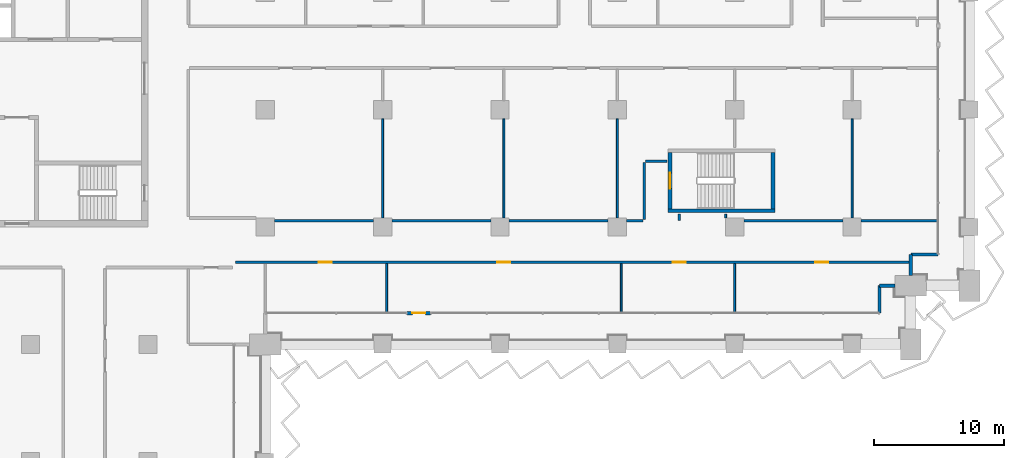
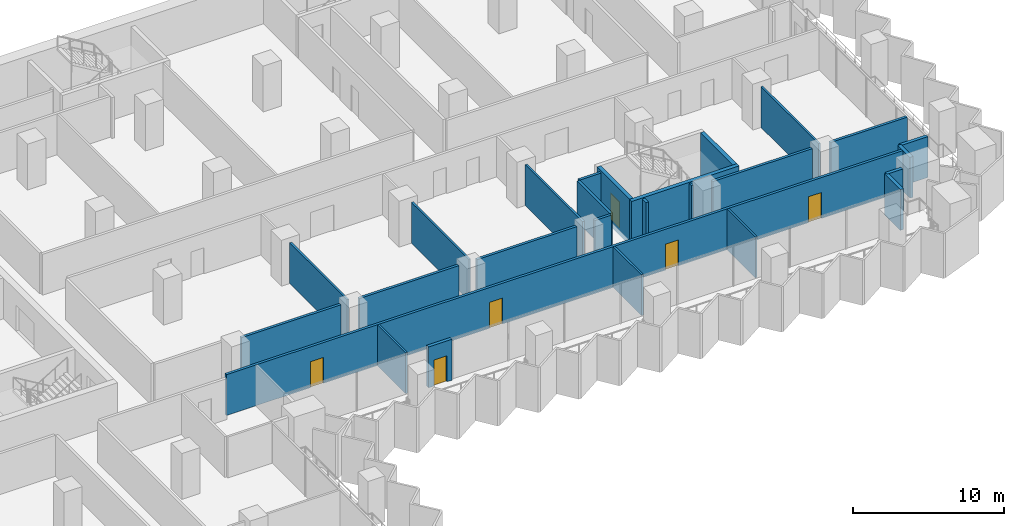
# One storey, part 14 of 29: 26 walls, 6 doors, 6 openings.
"""IFC4 building model written with IfcOpenShell, lengths in metres."""

from ifc_helpers import new_model, si_unit, direction, frame, frame_2d, origin, place, context, subcontext, project, spatial, rectangle, extrude, material, layer, layer_set, type_object, element, fill, save


model = new_model("IFC4")

# Units and contexts
model_context = context("Model", 3, precision=1e-05, world=origin(), true_north=direction((0.0, 1.0)))
body_context = subcontext(model_context, "Body", "Model", "MODEL_VIEW")
ifc_project = project(units=[si_unit("LENGTHUNIT", "METRE"), si_unit("AREAUNIT", "SQUARE_METRE"), si_unit("VOLUMEUNIT", "CUBIC_METRE"), si_unit("PLANEANGLEUNIT", "RADIAN"), si_unit("MASSUNIT", "GRAM", prefix="KILO")], contexts=[model_context])

# Site, building, storey
site_placement = place(None, origin())
site = spatial("IfcSite", under=ifc_project, at=site_placement, CompositionType="ELEMENT")
building_placement = place(site_placement, origin())
building = spatial("IfcBuilding", under=site, at=building_placement, Name="Hunhe Ridgeline Campus", CompositionType="ELEMENT")
storey_placement = place(building_placement, frame((0.0, 0.0, 69.10009765625)))
storey = spatial("IfcBuildingStorey", under=building, at=storey_placement, Name="L16", CompositionType="ELEMENT", Elevation=69.10009765625)

# Walls
ifc_material_1 = material(Name="Concrete C30", Category="concrete")
ifc_layer_1 = layer(ifc_material_1, 0.25)
ifc_layer_set_1 = layer_set([ifc_layer_1], Name="Corner return wall 250 Concrete C30")
wall_type_1 = type_object("IfcWallType", Name="Corner return wall 250 Concrete C30", PredefinedType="SOLIDWALL", material=ifc_layer_set_1)
wall_1_placement = place(storey_placement, frame((92.09912109375, 56.40087890625, 0.0), z_axis=(0.0, 0.0, 1.0), x_axis=(0.00011626555, 0.999999993241, 0.0)))
element("IfcWall", 1, at=wall_1_placement, inside=storey, type_object=wall_type_1, Name="Corner return wall 4", PredefinedType="SOLIDWALL", context=body_context, shape_type="SweptSolid", body=[
    extrude(rectangle(XDim=2.099853515625, YDim=0.25, at=frame_2d((1.0498046875, 0.0))), origin(), (0.0, 0.0, 1.0), 3.2998046875),
])
wall_2_placement = place(storey_placement, frame((92.099365234375, 58.500732421875, 0.0), z_axis=(0.0, 0.0, 1.0), x_axis=(1.0, 0.0, 0.0)))
element("IfcWall", 2, at=wall_2_placement, inside=storey, type_object=wall_type_1, Name="Corner return wall 5", PredefinedType="SOLIDWALL", context=body_context, shape_type="SweptSolid", body=[
    extrude(rectangle(XDim=1.20068359375, YDim=0.25, at=frame_2d((0.600341796875, 0.0))), origin(), (0.0, 0.0, 1.0), 3.2998046875),
])
wall_3_placement = place(storey_placement, frame((94.4990234375, 59.300048828125, 0.0), z_axis=(0.0, 0.0, 1.0), x_axis=(0.00015253203, 0.999999988367, 0.0)))
element("IfcWall", 3, at=wall_3_placement, inside=storey, type_object=wall_type_1, Name="Corner return wall 6", PredefinedType="SOLIDWALL", context=body_context, shape_type="SweptSolid", body=[
    extrude(rectangle(XDim=1.6005859375, YDim=0.25, at=frame_2d((0.80029296875, 0.0))), origin(), (0.0, 0.0, 1.0), 3.2998046875),
])
wall_4_placement = place(storey_placement, frame((94.499267578125, 60.900634765625, 0.0), z_axis=(0.0, 0.0, 1.0), x_axis=(0.999999993241, 0.00011626555, 0.0)))
element("IfcWall", 4, at=wall_4_placement, inside=storey, type_object=wall_type_1, Name="Corner return wall 7", PredefinedType="SOLIDWALL", context=body_context, shape_type="SweptSolid", body=[
    extrude(rectangle(XDim=2.099853515625, YDim=0.25, at=frame_2d((1.0498046875, 0.0))), origin(), (0.0, 0.0, 1.0), 3.2998046875),
])

# Wall, openings, doors
ifc_material_2 = material(Name="Gypsum board partition")
ifc_layer_2 = layer(ifc_material_2, 0.199951171875)
ifc_layer_set_2 = layer_set([ifc_layer_2], Name="Corridor partition 200 gypsum board on steel studs")
wall_type_2 = type_object("IfcWallType", Name="Corridor partition 200 gypsum board on steel studs", PredefinedType="PARTITIONING", material=ifc_layer_set_2)
wall_5_placement = place(storey_placement, frame((94.354248046875, 60.300048828125, 0.0), z_axis=(0.0, 0.0, 1.0), x_axis=(-1.0, 0.0, 0.0)))
wall_5 = element("IfcWall", 5, at=wall_5_placement, inside=storey, type_object=wall_type_2, Name="F-L16-wall-034", PredefinedType="PARTITIONING", context=body_context, shape_type="SweptSolid", body=[
    extrude(rectangle(XDim=51.654296875, YDim=0.199951171875, at=frame_2d((25.8271484375, 0.0))), origin(), (0.0, 0.0, 1.0), 3.2998046875),
])
opening_1_placement = place(wall_5_placement, frame((44.24658203125, 0.0, 0.0)))
opening_1 = element("IfcOpeningElement", 6, at=opening_1_placement, cuts=wall_5, Name="Opening RD1-023", PredefinedType="OPENING", context=body_context, shape_type="SweptSolid", body=[
    extrude(rectangle(XDim=1.0, YDim=2.10009765625, at=frame_2d((0.5, 1.050048828125))), frame((0.0, 0.10009765625, 0.0), z_axis=(0.0, -1.0, 0.0), x_axis=(1.0, 0.0, 0.0)), (0.0, 0.0, 1.0), 0.199951171875),
])
opening_2_placement = place(wall_5_placement, frame((30.556640625, 0.0, 0.0)))
opening_2 = element("IfcOpeningElement", 7, at=opening_2_placement, cuts=wall_5, Name="Opening RD1-024", PredefinedType="OPENING", context=body_context, shape_type="SweptSolid", body=[
    extrude(rectangle(XDim=1.0, YDim=2.10009765625, at=frame_2d((0.5, 1.050048828125))), frame((0.0, 0.10009765625, 0.0), z_axis=(0.0, -1.0, 0.0), x_axis=(1.0, 0.0, 0.0)), (0.0, 0.0, 1.0), 0.199951171875),
])
opening_3_placement = place(wall_5_placement, frame((17.117919921875, 0.0, 0.0)))
opening_3 = element("IfcOpeningElement", 8, at=opening_3_placement, cuts=wall_5, Name="Opening RD1-025", PredefinedType="OPENING", context=body_context, shape_type="SweptSolid", body=[
    extrude(rectangle(XDim=1.0, YDim=2.10009765625, at=frame_2d((0.5, 1.050048828125))), frame((0.0, 0.10009765625, 0.0), z_axis=(0.0, -1.0, 0.0), x_axis=(1.0, 0.0, 0.0)), (0.0, 0.0, 1.0), 0.199951171875),
])
opening_4_placement = place(wall_5_placement, frame((6.191162109375, 0.0, 0.0)))
opening_4 = element("IfcOpeningElement", 9, at=opening_4_placement, cuts=wall_5, Name="Opening RD1-026", PredefinedType="OPENING", context=body_context, shape_type="SweptSolid", body=[
    extrude(rectangle(XDim=1.0, YDim=2.10009765625, at=frame_2d((0.5, 1.050048828125))), frame((0.0, 0.10009765625, 0.0), z_axis=(0.0, -1.0, 0.0), x_axis=(1.0, 0.0, 0.0)), (0.0, 0.0, 1.0), 0.199951171875),
])
ifc_material_3 = material(Name="Timber door leaf", Category="wood")
door_type_1 = type_object("IfcDoorType", Name="Single fire door 1000x2100 timber FD60", OperationType="NOTDEFINED", PredefinedType="DOOR", material=ifc_material_3)
door_1_placement = place(opening_1_placement, origin())
door_1 = element("IfcDoor", 10, at=door_1_placement, inside=storey, type_object=door_type_1, Name="F-L16-door-023", OperationType="SINGLE_SWING_RIGHT", OverallHeight=2.10009765625, OverallWidth=1.0, PredefinedType="DOOR", context=body_context, shape_type="SweptSolid", body=[
    extrude(rectangle(XDim=1.0, YDim=2.10009765625, at=frame_2d((0.5, 1.050048828125))), frame((0.0, 0.02490234375, 0.0), z_axis=(0.0, -1.0, 0.0), x_axis=(1.0, 0.0, 0.0)), (0.0, 0.0, 1.0), 0.050048828125),
])
fill(opening_1, door_1)
door_2_placement = place(opening_2_placement, origin())
door_2 = element("IfcDoor", 11, at=door_2_placement, inside=storey, type_object=door_type_1, Name="F-L16-door-024", OperationType="SINGLE_SWING_LEFT", OverallHeight=2.10009765625, OverallWidth=1.0, PredefinedType="DOOR", context=body_context, shape_type="SweptSolid", body=[
    extrude(rectangle(XDim=1.0, YDim=2.10009765625, at=frame_2d((0.5, 1.050048828125))), frame((0.0, 0.02490234375, 0.0), z_axis=(0.0, -1.0, 0.0), x_axis=(1.0, 0.0, 0.0)), (0.0, 0.0, 1.0), 0.050048828125),
])
fill(opening_2, door_2)
door_3_placement = place(opening_3_placement, origin())
door_3 = element("IfcDoor", 12, at=door_3_placement, inside=storey, type_object=door_type_1, Name="F-L16-door-025", OperationType="SINGLE_SWING_LEFT", OverallHeight=2.10009765625, OverallWidth=1.0, PredefinedType="DOOR", context=body_context, shape_type="SweptSolid", body=[
    extrude(rectangle(XDim=1.0, YDim=2.10009765625, at=frame_2d((0.5, 1.050048828125))), frame((0.0, 0.02490234375, 0.0), z_axis=(0.0, -1.0, 0.0), x_axis=(1.0, 0.0, 0.0)), (0.0, 0.0, 1.0), 0.050048828125),
])
fill(opening_3, door_3)
door_4_placement = place(opening_4_placement, origin())
door_4 = element("IfcDoor", 13, at=door_4_placement, inside=storey, type_object=door_type_1, Name="F-L16-door-026", OperationType="SINGLE_SWING_LEFT", OverallHeight=2.10009765625, OverallWidth=1.0, PredefinedType="DOOR", context=body_context, shape_type="SweptSolid", body=[
    extrude(rectangle(XDim=1.0, YDim=2.10009765625, at=frame_2d((0.5, 1.050048828125))), frame((0.0, 0.02490234375, 0.0), z_axis=(0.0, -1.0, 0.0), x_axis=(1.0, 0.0, 0.0)), (0.0, 0.0, 1.0), 0.050048828125),
])
fill(opening_4, door_4)

# Walls
for number, where, z_axis, x_axis, name in (
    (14, (45.699951171875, 63.5, 0.0), (0.0, 0.0, 1.0), (1.0, 0.0, 0.0), "F-L16-wall-036"),
    (15, (54.699951171875, 63.5, 0.0), (0.0, 0.0, 1.0), (1.0, 0.0, 0.0), "F-L16-wall-037"),
    (16, (63.699951171875, 63.5, 0.0), (0.0, 0.0, 1.0), (1.0, 0.0, 0.0), "F-L16-wall-038"),
):
    element("IfcWall", number, at=place(storey_placement, frame(where, z_axis=z_axis, x_axis=x_axis)), inside=storey, type_object=wall_type_2, Name=name, PredefinedType="PARTITIONING", context=body_context, shape_type="SweptSolid", body=[
        extrude(rectangle(XDim=7.60009765625, YDim=0.199951171875, at=frame_2d((3.800048828125, 0.0))), origin(), (0.0, 0.0, 1.0), 3.2998046875),
    ])
wall_6_placement = place(storey_placement, frame((72.699951171875, 63.5, 0.0), z_axis=(0.0, 0.0, 1.0), x_axis=(1.0, 0.0, 0.0)))
element("IfcWall", 17, at=wall_6_placement, inside=storey, type_object=wall_type_2, Name="F-L16-wall-039", PredefinedType="PARTITIONING", context=body_context, shape_type="SweptSolid", body=[
    extrude(rectangle(XDim=1.25, YDim=0.199951171875, at=frame_2d((0.625, 0.0))), origin(), (0.0, 0.0, 1.0), 3.2998046875),
])
wall_7_placement = place(storey_placement, frame((81.699951171875, 63.5, 0.0), z_axis=(0.0, 0.0, 1.0), x_axis=(1.0, 0.0, 0.0)))
element("IfcWall", 18, at=wall_7_placement, inside=storey, type_object=wall_type_2, Name="F-L16-wall-040", PredefinedType="PARTITIONING", context=body_context, shape_type="SweptSolid", body=[
    extrude(rectangle(XDim=7.60009765625, YDim=0.199951171875, at=frame_2d((3.800048828125, 0.0))), origin(), (0.0, 0.0, 1.0), 3.2998046875),
])
wall_8_placement = place(storey_placement, frame((90.699951171875, 63.5, 0.0), z_axis=(0.0, 0.0, 1.0), x_axis=(1.0, 0.0, 0.0)))
element("IfcWall", 19, at=wall_8_placement, inside=storey, type_object=wall_type_2, Name="F-L16-wall-041", PredefinedType="PARTITIONING", context=body_context, shape_type="SweptSolid", body=[
    extrude(rectangle(XDim=5.844970703125, YDim=0.199951171875, at=frame_2d((2.92236328125, 0.0))), origin(), (0.0, 0.0, 1.0), 3.2998046875),
])
wall_9_placement = place(storey_placement, frame((74.14990234375, 68.050048828125, 0.0), z_axis=(0.0, 0.0, 1.0), x_axis=(1.0, 0.0, 0.0)))
element("IfcWall", 20, at=wall_9_placement, inside=storey, type_object=wall_type_2, Name="F-L16-wall-042", PredefinedType="PARTITIONING", context=body_context, shape_type="SweptSolid", body=[
    extrude(rectangle(XDim=1.64599609375, YDim=0.199951171875, at=frame_2d((0.822998046875, 0.0))), origin(), (0.0, 0.0, 1.0), 3.2998046875),
])
wall_10_placement = place(storey_placement, frame((74.050048828125, 63.60009765625, 0.0), z_axis=(0.0, 0.0, 1.0), x_axis=(0.0, 1.0, 0.0)))
element("IfcWall", 21, at=wall_10_placement, inside=storey, type_object=wall_type_2, Name="F-L16-wall-076", PredefinedType="PARTITIONING", context=body_context, shape_type="SweptSolid", body=[
    extrude(rectangle(XDim=4.349853515625, YDim=0.199951171875, at=frame_2d((2.1748046875, 0.0))), origin(), (0.0, 0.0, 1.0), 3.2998046875),
])
wall_11_placement = place(storey_placement, frame((76.75, 63.99609375, 0.0), z_axis=(0.0, 0.0, 1.0), x_axis=(0.0, -1.0, 0.0)))
element("IfcWall", 22, at=wall_11_placement, inside=storey, type_object=wall_type_2, Name="F-L16-wall-078", PredefinedType="PARTITIONING", context=body_context, shape_type="SweptSolid", body=[
    extrude(rectangle(XDim=0.49609375, YDim=0.199951171875, at=frame_2d((0.248046875, 0.0))), origin(), (0.0, 0.0, 1.0), 3.2998046875),
])

# Wall, opening, door
ifc_layer_3 = layer(ifc_material_1, 0.25)
ifc_layer_set_3 = layer_set([ifc_layer_3], Name="Loggia door pier wall 250 Concrete C30")
wall_type_3 = type_object("IfcWallType", Name="Loggia door pier wall 250 Concrete C30", PredefinedType="SOLIDWALL", material=ifc_layer_set_3)
wall_12_placement = place(storey_placement, frame((55.874267578125, 56.40087890625, 0.0), z_axis=(0.0, 0.0, 1.0), x_axis=(1.0, 0.0, 0.0)))
wall_12 = element("IfcWall", 23, at=wall_12_placement, inside=storey, type_object=wall_type_3, Name="Loggia door pier 3", PredefinedType="SOLIDWALL", context=body_context, shape_type="SweptSolid", body=[
    extrude(rectangle(XDim=1.800048828125, YDim=0.25, at=frame_2d((0.89990234375, 0.0))), origin(), (0.0, 0.0, 1.0), 3.2998046875),
])
opening_5_placement = place(wall_12_placement, frame((0.39990234375, 0.0, 0.0)))
opening_5 = element("IfcOpeningElement", 24, at=opening_5_placement, cuts=wall_12, Name="Opening BD106", PredefinedType="OPENING", context=body_context, shape_type="SweptSolid", body=[
    extrude(rectangle(XDim=1.0, YDim=2.10009765625, at=frame_2d((0.5, 1.050048828125))), frame((0.0, 0.125, 0.0), z_axis=(0.0, -1.0, 0.0), x_axis=(1.0, 0.0, 0.0)), (0.0, 0.0, 1.0), 0.25),
])
ifc_material_4 = material(Name="Aluminium 6063", Category="aluminium")
door_type_2 = type_object("IfcDoorType", Name="Loggia glazed door 1000x2100", OperationType="NOTDEFINED", PredefinedType="DOOR", material=ifc_material_4)
door_5_placement = place(opening_5_placement, frame((1.0, 0.0, 0.0), z_axis=(0.0, 0.0, 1.0), x_axis=(-1.0, 0.0, 0.0)))
door_5 = element("IfcDoor", 25, at=door_5_placement, inside=storey, type_object=door_type_2, Name="Loggia door BD106", OperationType="SINGLE_SWING_LEFT", OverallHeight=2.10009765625, OverallWidth=1.0, PredefinedType="DOOR", context=body_context, shape_type="SweptSolid", body=[
    extrude(rectangle(XDim=1.0, YDim=2.10009765625, at=frame_2d((0.5, 1.050048828125))), frame((0.0, 0.02490234375, 0.0), z_axis=(0.0, -1.0, 0.0), x_axis=(1.0, 0.0, 0.0)), (0.0, 0.0, 1.0), 0.050048828125),
])
fill(opening_5, door_5)

# Walls
ifc_layer_4 = layer(ifc_material_2, 0.14990234375)
ifc_layer_set_4 = layer_set([ifc_layer_4], Name="Room partition 150 gypsum board on steel studs")
wall_type_4 = type_object("IfcWallType", Name="Room partition 150 gypsum board on steel studs", PredefinedType="PARTITIONING", material=ifc_layer_set_4)
wall_13_placement = place(storey_placement, frame((54.0, 71.300048828125, 0.0), z_axis=(0.0, 0.0, 1.0), x_axis=(0.0, -1.0, 0.0)))
element("IfcWall", 26, at=wall_13_placement, inside=storey, type_object=wall_type_4, Name="F-L16-wall-065", PredefinedType="PARTITIONING", context=body_context, shape_type="SweptSolid", body=[
    extrude(rectangle(XDim=7.60009765625, YDim=0.14990234375, at=frame_2d((3.800048828125, 0.0))), origin(), (0.0, 0.0, 1.0), 3.2998046875),
])
wall_14_placement = place(storey_placement, frame((54.300048828125, 60.199951171875, 0.0), z_axis=(0.0, 0.0, 1.0), x_axis=(0.0, -1.0, 0.0)))
element("IfcWall", 27, at=wall_14_placement, inside=storey, type_object=wall_type_4, Name="F-L16-wall-067", PredefinedType="PARTITIONING", context=body_context, shape_type="SweptSolid", body=[
    extrude(rectangle(XDim=3.7451171875, YDim=0.14990234375, at=frame_2d((1.87255859375, 0.0))), origin(), (0.0, 0.0, 1.0), 3.2998046875),
])
for number, where, z_axis, x_axis, name in (
    (28, (63.300048828125, 71.300048828125, 0.0), (0.0, 0.0, 1.0), (0.0, -1.0, 0.0), "F-L16-wall-069"),
    (29, (72.0, 71.300048828125, 0.0), (0.0, 0.0, 1.0), (0.0, -1.0, 0.0), "F-L16-wall-073"),
):
    element("IfcWall", number, at=place(storey_placement, frame(where, z_axis=z_axis, x_axis=x_axis)), inside=storey, type_object=wall_type_4, Name=name, PredefinedType="PARTITIONING", context=body_context, shape_type="SweptSolid", body=[
        extrude(rectangle(XDim=7.60009765625, YDim=0.14990234375, at=frame_2d((3.800048828125, 0.0))), origin(), (0.0, 0.0, 1.0), 3.2998046875),
    ])
wall_15_placement = place(storey_placement, frame((72.300048828125, 60.199951171875, 0.0), z_axis=(0.0, 0.0, 1.0), x_axis=(0.0, -1.0, 0.0)))
element("IfcWall", 30, at=wall_15_placement, inside=storey, type_object=wall_type_4, Name="F-L16-wall-075", PredefinedType="PARTITIONING", context=body_context, shape_type="SweptSolid", body=[
    extrude(rectangle(XDim=3.7451171875, YDim=0.14990234375, at=frame_2d((1.87255859375, 0.0))), origin(), (0.0, 0.0, 1.0), 3.2998046875),
])
wall_16_placement = place(storey_placement, frame((80.300048828125, 63.99609375, 0.0), z_axis=(0.0, 0.0, 1.0), x_axis=(0.0, -1.0, 0.0)))
element("IfcWall", 31, at=wall_16_placement, inside=storey, type_object=wall_type_4, Name="F-L16-wall-079", PredefinedType="PARTITIONING", context=body_context, shape_type="SweptSolid", body=[
    extrude(rectangle(XDim=0.296142578125, YDim=0.14990234375, at=frame_2d((0.14794921875, 0.0))), origin(), (0.0, 0.0, 1.0), 3.2998046875),
])
wall_17_placement = place(storey_placement, frame((81.0, 60.199951171875, 0.0), z_axis=(0.0, 0.0, 1.0), x_axis=(0.0, -1.0, 0.0)))
element("IfcWall", 32, at=wall_17_placement, inside=storey, type_object=wall_type_4, Name="F-L16-wall-080", PredefinedType="PARTITIONING", context=body_context, shape_type="SweptSolid", body=[
    extrude(rectangle(XDim=3.744873046875, YDim=0.14990234375, at=frame_2d((1.87255859375, 0.0))), origin(), (0.0, 0.0, 1.0), 3.2998046875),
])
wall_18_placement = place(storey_placement, frame((90.0, 71.300048828125, 0.0), z_axis=(0.0, 0.0, 1.0), x_axis=(0.0, -1.0, 0.0)))
element("IfcWall", 33, at=wall_18_placement, inside=storey, type_object=wall_type_4, Name="F-L16-wall-085", PredefinedType="PARTITIONING", context=body_context, shape_type="SweptSolid", body=[
    extrude(rectangle(XDim=7.60009765625, YDim=0.14990234375, at=frame_2d((3.800048828125, 0.0))), origin(), (0.0, 0.0, 1.0), 3.2998046875),
])
ifc_material_5 = material(Name="Concrete C80", Category="concrete")
ifc_layer_5 = layer(ifc_material_5, 0.300048828125)
ifc_layer_set_5 = layer_set([ifc_layer_5], Name="Stair wall 300 reinforced concrete C80")
wall_type_5 = type_object("IfcWallType", Name="Stair wall 300 reinforced concrete C80", PredefinedType="SOLIDWALL", material=ifc_layer_set_5)
wall_19_placement = place(storey_placement, frame((75.89990234375, 64.25, -0.400146484375), z_axis=(0.0, 0.0, 1.0), x_axis=(1.0, 0.0, 0.0)))
element("IfcWall", 34, at=wall_19_placement, inside=storey, type_object=wall_type_5, Name="L16 core wall 8", PredefinedType="SOLIDWALL", context=body_context, shape_type="SweptSolid", body=[
    extrude(rectangle(XDim=8.2001953125, YDim=0.300048828125, at=frame_2d((4.10009765625, 0.0))), origin(), (0.0, 0.0, 1.0), 3.699951171875),
])

# Wall, opening, door
wall_20_placement = place(storey_placement, frame((76.050048828125, 64.39990234375, -0.400146484375), z_axis=(0.0, 0.0, 1.0), x_axis=(0.0, 1.0, 0.0)))
wall_20 = element("IfcWall", 35, at=wall_20_placement, inside=storey, type_object=wall_type_5, Name="L16 core wall 71", PredefinedType="SOLIDWALL", context=body_context, shape_type="SweptSolid", body=[
    extrude(rectangle(XDim=4.300048828125, YDim=0.300048828125, at=frame_2d((2.14990234375, 0.0))), origin(), (0.0, 0.0, 1.0), 3.699951171875),
])
opening_6_placement = place(wall_20_placement, frame((1.550048828125, 0.0, 0.39990234375)))
opening_6 = element("IfcOpeningElement", 36, at=opening_6_placement, cuts=wall_20, Name="Opening CD24", PredefinedType="OPENING", context=body_context, shape_type="SweptSolid", body=[
    extrude(rectangle(XDim=1.199951171875, YDim=2.10009765625, at=frame_2d((0.60009765625, 1.050048828125))), frame((0.0, 0.14990234375, 0.0), z_axis=(0.0, -1.0, 0.0), x_axis=(1.0, 0.0, 0.0)), (0.0, 0.0, 1.0), 0.300048828125),
])
ifc_material_6 = material(Name="Hollow metal fire door leaf")
door_type_3 = type_object("IfcDoorType", Name="Stair door 1200x2100 FD60", OperationType="SINGLE_SWING_LEFT", PredefinedType="DOOR", material=ifc_material_6)
door_6_placement = place(opening_6_placement, origin())
door_6 = element("IfcDoor", 37, at=door_6_placement, inside=storey, type_object=door_type_3, Name="L16 door E5", OperationType="SINGLE_SWING_RIGHT", OverallHeight=2.10009765625, OverallWidth=1.199951171875, PredefinedType="DOOR", context=body_context, shape_type="SweptSolid", body=[
    extrude(rectangle(XDim=1.199951171875, YDim=2.10009765625, at=frame_2d((0.60009765625, 1.050048828125))), frame((0.0, 0.02490234375, 0.0), z_axis=(0.0, -1.0, 0.0), x_axis=(1.0, 0.0, 0.0)), (0.0, 0.0, 1.0), 0.050048828125),
])
fill(opening_6, door_6)

# Wall
wall_21_placement = place(storey_placement, frame((83.949951171875, 64.39990234375, -0.400146484375), z_axis=(0.0, 0.0, 1.0), x_axis=(0.0, 1.0, 0.0)))
element("IfcWall", 38, at=wall_21_placement, inside=storey, type_object=wall_type_5, Name="L16 core wall 72", PredefinedType="SOLIDWALL", context=body_context, shape_type="SweptSolid", body=[
    extrude(rectangle(XDim=4.300048828125, YDim=0.300048828125, at=frame_2d((2.14990234375, 0.0))), origin(), (0.0, 0.0, 1.0), 3.699951171875),
])

save(model, "model.ifc")
